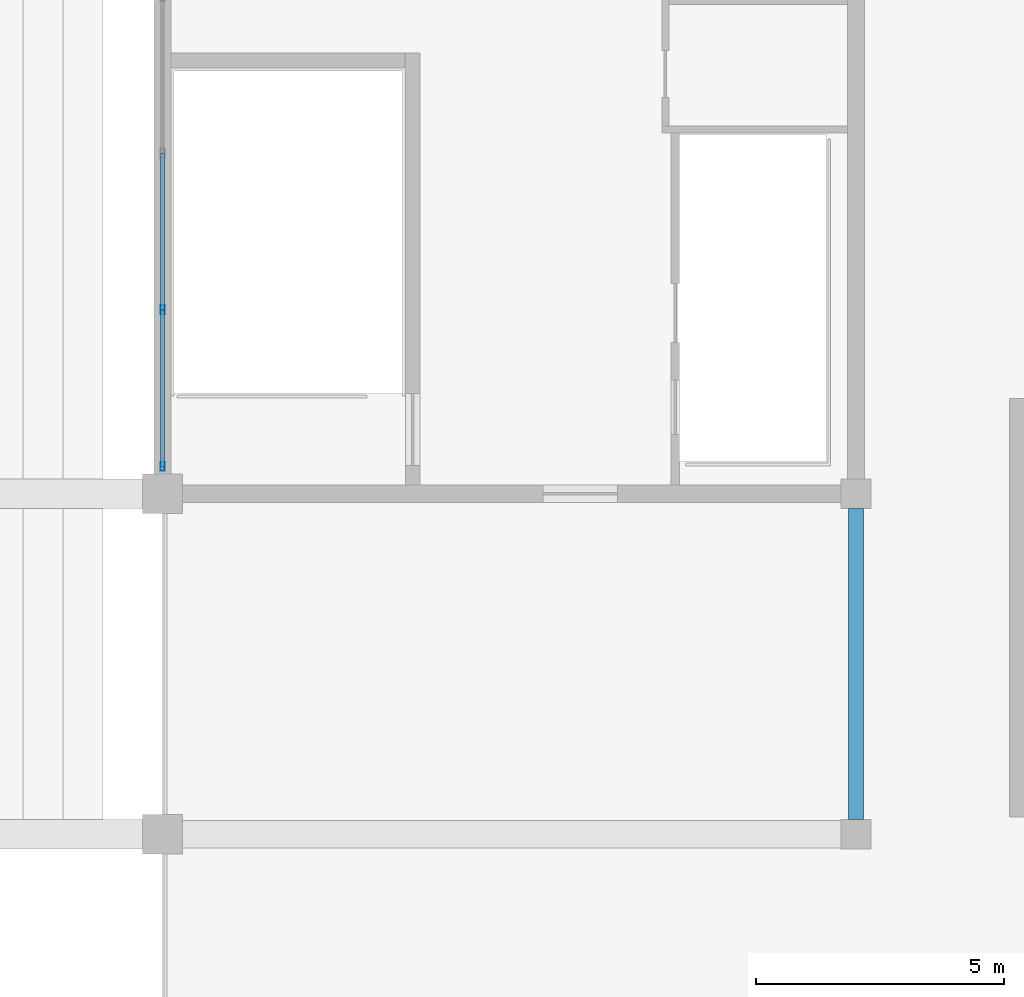
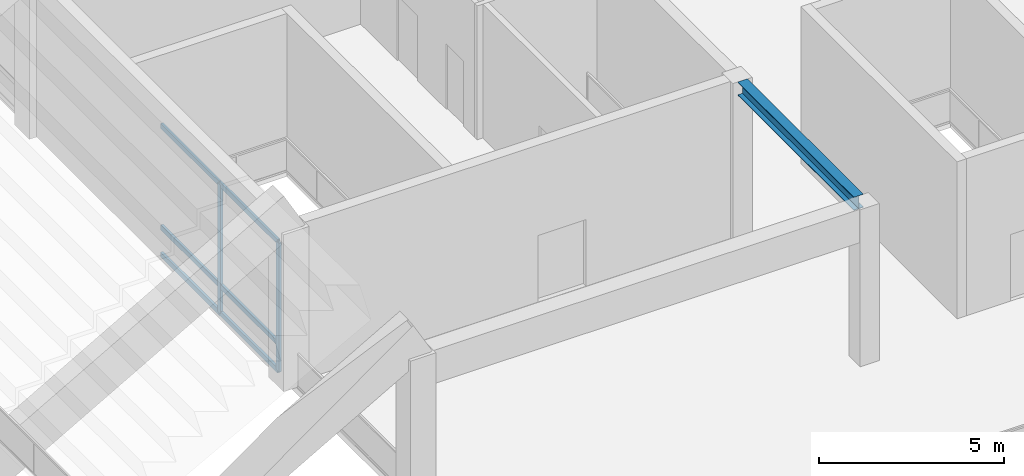
# One storey, part 34 of 90: 8 members, 1 beam, 1 element without a shape of its own.
"""IFC4 building model written with IfcOpenShell, lengths in metres."""

from ifc_helpers import new_model, si_unit, direction, frame, origin, origin_2d, place, context, subcontext, project, spatial, hollow_rectangle, i_section, extrude, material, material_profile, profile_set, type_object, element, aggregate, save


model = new_model("IFC4")

# Units and contexts
model_context = context("Model", 3, precision=1e-05, world=origin(), true_north=direction((0.0, 1.0)))
body_context = subcontext(model_context, "Body", "Model", "MODEL_VIEW")
ifc_project = project(units=[si_unit("LENGTHUNIT", "METRE"), si_unit("AREAUNIT", "SQUARE_METRE"), si_unit("VOLUMEUNIT", "CUBIC_METRE"), si_unit("PLANEANGLEUNIT", "RADIAN"), si_unit("MASSUNIT", "GRAM", prefix="KILO")], contexts=[model_context])

# Site, building, storey
site_placement = place(None, origin())
site = spatial("IfcSite", under=ifc_project, at=site_placement, CompositionType="ELEMENT")
building_placement = place(site_placement, origin())
building = spatial("IfcBuilding", under=site, at=building_placement, Name="Linyun Crest Stadium", CompositionType="ELEMENT")
storey_placement = place(building_placement, frame((0.0, 0.0, 21.0)))
storey = spatial("IfcBuildingStorey", under=building, at=storey_placement, Name="L05", CompositionType="ELEMENT", Elevation=21.0)

# Beam
ifc_material_1 = material(Name="Steel Q355C", Category="steel")
ifc_material_profile_1 = material_profile(ifc_material_1, i_section(OverallWidth=0.300048828125, OverallDepth=0.43994140625, WebThickness=0.010986328125, FlangeThickness=0.01806640625, at=origin_2d()), Name="HM 440x300")
ifc_profile_set_1 = profile_set([ifc_material_profile_1], Name="Steel Q355C")
beam_type = type_object("IfcBeamType", Name="B07", PredefinedType="BEAM", material=ifc_profile_set_1)
beam_placement = place(storey_placement, frame((84.0, -45.699951171875, 4.965087890625), z_axis=(0.0, 1.0, 0.0), x_axis=(-1.0, 0.0, 0.0)))
element("IfcBeam", 1, at=beam_placement, inside=storey, type_object=beam_type, Name="Frame beam B07 L05 731", PredefinedType="BEAM", context=body_context, shape_type="SweptSolid", body=[
    extrude(i_section(OverallWidth=0.300048828125, OverallDepth=0.43994140625, WebThickness=0.010986328125, FlangeThickness=0.01806640625, at=origin_2d()), origin(), (0.0, 0.0, 1.0), 6.27490234375),
])

# Curtain wall, members
ifc_material_2 = material(Name="Verdigris steel and low-E curtain wall assembly", Category="steel")
curtain_wall_type = type_object("IfcCurtainWallType", Name="MCW01", PredefinedType="NOTDEFINED", material=ifc_material_2)
curtain_wall_placement = place(storey_placement, origin())
curtain_wall = element("IfcCurtainWall", 2, at=curtain_wall_placement, inside=storey, type_object=curtain_wall_type, Name="CWR-081", PredefinedType="NOTDEFINED")
ifc_material_3 = material(Name="Verdigris painted steel Q355B mullion", Category="steel")
ifc_material_profile_2 = material_profile(ifc_material_3, hollow_rectangle(XDim=0.080078125, YDim=0.179931640625, WallThickness=0.006103515625, at=origin_2d()), Name="RHS 180x80x6")
ifc_profile_set_2 = profile_set([ifc_material_profile_2], Name="Verdigris painted steel Q355B mullion")
member_type_1 = type_object("IfcMemberType", Name="ML02", PredefinedType="MULLION", material=ifc_profile_set_2)
member_1_placement = place(storey_placement, frame((70.0, -38.574951171875, 0.0), z_axis=(0.0, 0.0, 1.0), x_axis=(-1.0, 0.0, 0.0)))
member_1 = element("IfcMember", 3, at=member_1_placement, type_object=member_type_1, Name="CWR-081 mullion 1", PredefinedType="MULLION", context=body_context, shape_type="SweptSolid", body=[
    extrude(hollow_rectangle(XDim=0.080078125, YDim=0.179931640625, WallThickness=0.006103515625, at=origin_2d()), origin(), (0.0, 0.0, 1.0), 4.25),
])
member_2_placement = place(storey_placement, frame((70.0, -35.412109375, 0.0), z_axis=(0.0, 0.0, 1.0), x_axis=(-1.0, 0.0, 0.0)))
member_2 = element("IfcMember", 4, at=member_2_placement, type_object=member_type_1, Name="CWR-081 mullion 2", PredefinedType="MULLION", context=body_context, shape_type="SweptSolid", body=[
    extrude(hollow_rectangle(XDim=0.080078125, YDim=0.179931640625, WallThickness=0.006103515625, at=origin_2d()), origin(), (0.0, 0.0, 1.0), 4.25),
])
ifc_material_4 = material(Name="Aluminium thermally broken transom", Category="aluminium")
ifc_material_profile_3 = material_profile(ifc_material_4, hollow_rectangle(XDim=0.080078125, YDim=0.159912109375, WallThickness=0.006103515625, at=origin_2d()), Name="RHS 160x80x6")
ifc_profile_set_3 = profile_set([ifc_material_profile_3], Name="Aluminium thermally broken transom")
member_type_2 = type_object("IfcMemberType", Name="TR01", PredefinedType="USERDEFINED", material=ifc_profile_set_3)
member_3_placement = place(storey_placement, frame((70.0, -38.574951171875, 0.0), z_axis=(0.0, 1.0, 0.0), x_axis=(-1.0, 0.0, 0.0)))
member_3 = element("IfcMember", 5, at=member_3_placement, type_object=member_type_2, Name="CWR-081 transom 1.1", ObjectType="TRANSOM", PredefinedType="USERDEFINED", context=body_context, shape_type="SweptSolid", body=[
    extrude(hollow_rectangle(XDim=0.080078125, YDim=0.159912109375, WallThickness=0.006103515625, at=origin_2d()), origin(), (0.0, 0.0, 1.0), 3.162841796875),
])
member_4_placement = place(storey_placement, frame((70.0, -38.574951171875, 0.89990234375), z_axis=(0.0, 1.0, 0.0), x_axis=(-1.0, 0.0, 0.0)))
member_4 = element("IfcMember", 6, at=member_4_placement, type_object=member_type_2, Name="CWR-081 transom 1.2", ObjectType="TRANSOM", PredefinedType="USERDEFINED", context=body_context, shape_type="SweptSolid", body=[
    extrude(hollow_rectangle(XDim=0.080078125, YDim=0.159912109375, WallThickness=0.006103515625, at=origin_2d()), origin(), (0.0, 0.0, 1.0), 3.162841796875),
])
member_5_placement = place(storey_placement, frame((70.0, -38.574951171875, 4.25), z_axis=(0.0, 1.0, 0.0), x_axis=(-1.0, 0.0, 0.0)))
member_5 = element("IfcMember", 7, at=member_5_placement, type_object=member_type_2, Name="CWR-081 transom 1.3", ObjectType="TRANSOM", PredefinedType="USERDEFINED", context=body_context, shape_type="SweptSolid", body=[
    extrude(hollow_rectangle(XDim=0.080078125, YDim=0.159912109375, WallThickness=0.006103515625, at=origin_2d()), origin(), (0.0, 0.0, 1.0), 3.162841796875),
])
member_6_placement = place(storey_placement, frame((70.0, -35.412109375, 0.0), z_axis=(0.0, 1.0, 0.0), x_axis=(-1.0, 0.0, 0.0)))
member_6 = element("IfcMember", 8, at=member_6_placement, type_object=member_type_2, Name="CWR-081 transom 2.1", ObjectType="TRANSOM", PredefinedType="USERDEFINED", context=body_context, shape_type="SweptSolid", body=[
    extrude(hollow_rectangle(XDim=0.080078125, YDim=0.159912109375, WallThickness=0.006103515625, at=origin_2d()), origin(), (0.0, 0.0, 1.0), 3.162109375),
])
member_7_placement = place(storey_placement, frame((70.0, -35.412109375, 0.89990234375), z_axis=(0.0, 1.0, 0.0), x_axis=(-1.0, 0.0, 0.0)))
member_7 = element("IfcMember", 9, at=member_7_placement, type_object=member_type_2, Name="CWR-081 transom 2.2", ObjectType="TRANSOM", PredefinedType="USERDEFINED", context=body_context, shape_type="SweptSolid", body=[
    extrude(hollow_rectangle(XDim=0.080078125, YDim=0.159912109375, WallThickness=0.006103515625, at=origin_2d()), origin(), (0.0, 0.0, 1.0), 3.162109375),
])
member_8_placement = place(storey_placement, frame((70.0, -35.412109375, 4.25), z_axis=(0.0, 1.0, 0.0), x_axis=(-1.0, 0.0, 0.0)))
member_8 = element("IfcMember", 10, at=member_8_placement, type_object=member_type_2, Name="CWR-081 transom 2.3", ObjectType="TRANSOM", PredefinedType="USERDEFINED", context=body_context, shape_type="SweptSolid", body=[
    extrude(hollow_rectangle(XDim=0.080078125, YDim=0.159912109375, WallThickness=0.006103515625, at=origin_2d()), origin(), (0.0, 0.0, 1.0), 3.162109375),
])
aggregate(curtain_wall, [member_1, member_2, member_3, member_4, member_5, member_6, member_7, member_8])

save(model, "model.ifc")
